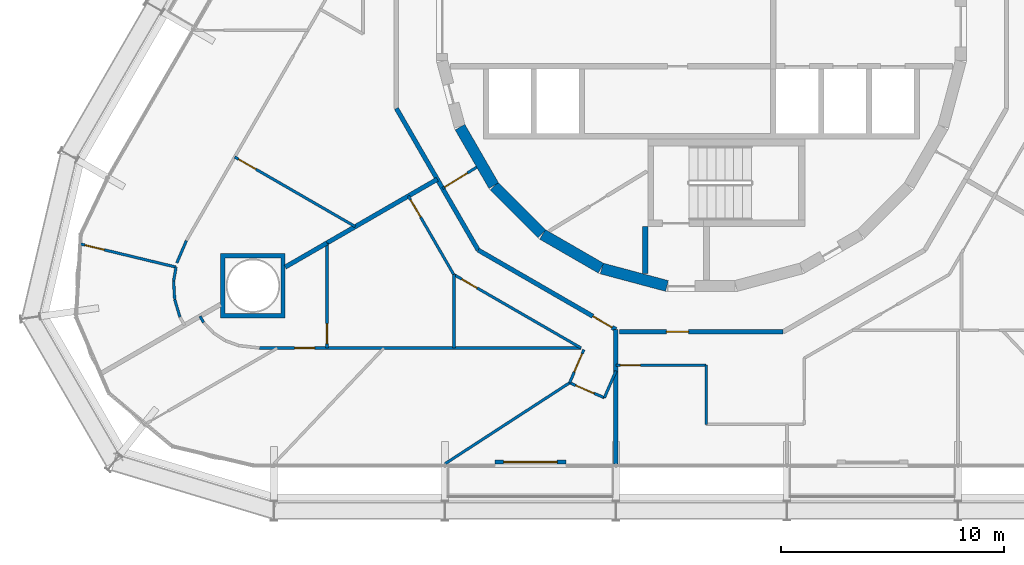
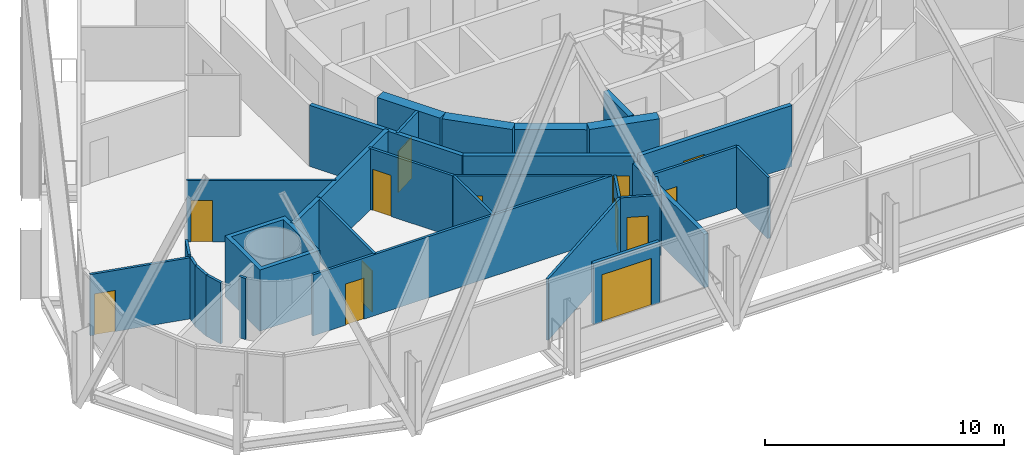
# One storey, part 15 of 22: 32 walls, 13 doors, 13 openings.
"""IFC4 building model written with IfcOpenShell, lengths in metres."""

from ifc_helpers import new_model, si_unit, direction, frame, frame_2d, origin, place, context, subcontext, project, spatial, polyline, rectangle, outline, extrude, material, layer, layer_set, type_object, element, fill, save


model = new_model("IFC4")

# Units and contexts
model_context = context("Model", 3, precision=1e-05, world=origin(), true_north=direction((0.0, 1.0)))
body_context = subcontext(model_context, "Body", "Model", "MODEL_VIEW")
ifc_project = project(units=[si_unit("LENGTHUNIT", "METRE"), si_unit("AREAUNIT", "SQUARE_METRE"), si_unit("VOLUMEUNIT", "CUBIC_METRE"), si_unit("PLANEANGLEUNIT", "RADIAN"), si_unit("MASSUNIT", "GRAM", prefix="KILO")], contexts=[model_context])

# Site, building, storey
site_placement = place(None, origin())
site = spatial("IfcSite", under=ifc_project, at=site_placement, CompositionType="ELEMENT")
building_placement = place(site_placement, origin())
building = spatial("IfcBuilding", under=site, at=building_placement, Name="Spindle Arch Residences", CompositionType="ELEMENT")
storey_placement = place(building_placement, frame((0.0, 0.0, 52.39990234375)))
storey = spatial("IfcBuildingStorey", under=building, at=storey_placement, Name="L11", CompositionType="ELEMENT", Elevation=52.39990234375)

# Walls
ifc_material_1 = material(Name="Concrete C50/60", Category="concrete")
ifc_layer_1 = layer(ifc_material_1, 0.5)
ifc_layer_set_1 = layer_set([ifc_layer_1], Name="Core outline wall 500")
wall_type_1 = type_object("IfcWallType", Name="Core outline wall 500", PredefinedType="SHEAR", material=ifc_layer_set_1)
wall_1_placement = place(storey_placement, frame((-10.84521484375, -4.510498046875, 0.0), z_axis=(0.0, 0.0, 1.0), x_axis=(0.500087131594, -0.865975092491, 0.0)))
element("IfcWall", 1, at=wall_1_placement, inside=storey, type_object=wall_type_1, Name="Core outline wall 20", PredefinedType="SHEAR", context=body_context, shape_type="SweptSolid", body=[
    extrude(rectangle(XDim=3.03271484375, YDim=0.5, at=frame_2d((1.516357421875, 0.0))), origin(), (0.0, 0.0, 1.0), 3.1201171875),
])
wall_2_placement = place(storey_placement, frame((-9.30810546875, -7.163818359375, 0.0), z_axis=(0.0, 0.0, 1.0), x_axis=(0.707106781187, -0.707106781187, 0.0)))
element("IfcWall", 2, at=wall_2_placement, inside=storey, type_object=wall_type_1, Name="Core outline wall 21", PredefinedType="SHEAR", context=body_context, shape_type="SweptSolid", body=[
    extrude(rectangle(XDim=3.032470703125, YDim=0.5, at=frame_2d((1.51611328125, 0.0))), origin(), (0.0, 0.0, 1.0), 3.1201171875),
])
for number, where, z_axis, x_axis, name in (
    (3, (-7.13671875, -9.32861328125, 0.0), (0.0, 0.0, 1.0), (0.865975092491, -0.500087131594, 0.0), "Core outline wall 22"),
    (4, (-4.479248046875, -10.858154296875, 0.0), (0.0, 0.0, 1.0), (0.965948410781, -0.258734743916, 0.0), "Core outline wall 23"),
):
    element("IfcWall", number, at=place(storey_placement, frame(where, z_axis=z_axis, x_axis=x_axis)), inside=storey, type_object=wall_type_1, Name=name, PredefinedType="SHEAR", context=body_context, shape_type="SweptSolid", body=[
        extrude(rectangle(XDim=3.03271484375, YDim=0.5, at=frame_2d((1.516357421875, 0.0))), origin(), (0.0, 0.0, 1.0), 3.1201171875),
    ])

# Wall, opening, door
ifc_material_2 = material(Name="Plasterboard on steel studs", Category="steel")
ifc_layer_2 = layer(ifc_material_2, 0.1201171875)
ifc_layer_set_2 = layer_set([ifc_layer_2], Name="Corridor division wall 120")
wall_type_2 = type_object("IfcWallType", Name="Corridor division wall 120", PredefinedType="PARTITIONING", material=ifc_layer_set_2)
wall_3_placement = place(storey_placement, frame((-11.625244140625, -7.264404296875, 0.0), z_axis=(0.0, 0.0, 1.0), x_axis=(0.84803632456, 0.529938102259, 0.0)))
wall_3 = element("IfcWall", 5, at=wall_3_placement, inside=storey, type_object=wall_type_2, Name="Corridor division wall R1B0-W003", PredefinedType="PARTITIONING", context=body_context, shape_type="SweptSolid", body=[
    extrude(rectangle(XDim=1.8037109375, YDim=0.1201171875, at=frame_2d((0.90185546875, 0.0))), origin(), (0.0, 0.0, 1.0), 3.1201171875),
])
opening_1_placement = place(wall_3_placement, frame((0.110107421875, 0.0, 0.0)))
opening_1 = element("IfcOpeningElement", 6, at=opening_1_placement, cuts=wall_3, Name="Opening R1B0-CD03", PredefinedType="OPENING", context=body_context, shape_type="SweptSolid", body=[
    extrude(rectangle(XDim=1.199951171875, YDim=2.10009765625, at=frame_2d((0.60009765625, 1.050048828125))), frame((0.0, 0.070068359375, 0.0), z_axis=(0.0, -1.0, 0.0), x_axis=(1.0, 0.0, 0.0)), (0.0, 0.0, 1.0), 0.14013671875),
])
ifc_material_3 = material(Name="Steel, fire-resisting door", Category="steel")
door_type_1 = type_object("IfcDoorType", Name="Corridor division door 1200x2100", OperationType="NOTDEFINED", PredefinedType="DOOR", material=ifc_material_3)
door_1_placement = place(opening_1_placement, origin())
door_1 = element("IfcDoor", 7, at=door_1_placement, inside=storey, type_object=door_type_1, Name="Corridor division door R1B0-CD03", OperationType="DOUBLE_DOOR_SINGLE_SWING", OverallHeight=2.10009765625, OverallWidth=1.199951171875, PredefinedType="DOOR", context=body_context, shape_type="SweptSolid", body=[
    extrude(rectangle(XDim=1.199951171875, YDim=2.10009765625, at=frame_2d((0.60009765625, 1.050048828125))), frame((0.0, 0.02490234375, 0.0), z_axis=(0.0, -1.0, 0.0), x_axis=(1.0, 0.0, 0.0)), (0.0, 0.0, 1.0), 0.050048828125),
])
fill(opening_1, door_1)

# Wall
ifc_material_4 = material(Name="Calcium silicate block, plastered")
ifc_layer_3 = layer(ifc_material_4, 0.199951171875)
ifc_layer_set_3 = layer_set([ifc_layer_3], Name="Corridor wall 200")
wall_type_3 = type_object("IfcWallType", Name="Corridor wall 200", PredefinedType="STANDARD", material=ifc_layer_set_3)
wall_4_placement = place(storey_placement, frame((-13.699951171875, -3.6708984375, 0.0), z_axis=(0.0, 0.0, 1.0), x_axis=(0.500001669485, -0.866024439905, 0.0)))
element("IfcWall", 8, at=wall_4_placement, inside=storey, type_object=wall_type_3, Name="Corridor wall R1B0-W012", PredefinedType="STANDARD", context=body_context, shape_type="SweptSolid", body=[
    extrude(rectangle(XDim=7.341796875, YDim=0.199951171875, at=frame_2d((3.6708984375, 0.0))), origin(), (0.0, 0.0, 1.0), 3.1201171875),
])

# Wall, opening, door
wall_5_placement = place(storey_placement, frame((-10.029052734375, -10.029052734375, 0.0), z_axis=(0.0, 0.0, 1.0), x_axis=(0.866022878987, -0.500004373052, 0.0)))
wall_5 = element("IfcWall", 9, at=wall_5_placement, inside=storey, type_object=wall_type_3, Name="Corridor wall R1B0-W013", PredefinedType="STANDARD", context=body_context, shape_type="SweptSolid", body=[
    extrude(rectangle(XDim=7.146484375, YDim=0.199951171875, at=frame_2d((3.5732421875, 0.0))), origin(), (0.0, 0.0, 1.0), 3.1201171875),
])
opening_2_placement = place(wall_5_placement, frame((5.946533203125, 0.0, 0.0)))
opening_2 = element("IfcOpeningElement", 10, at=opening_2_placement, cuts=wall_5, Name="Opening R1B0-FD04", PredefinedType="OPENING", context=body_context, shape_type="SweptSolid", body=[
    extrude(rectangle(XDim=1.0, YDim=2.10009765625, at=frame_2d((0.5, 1.050048828125))), frame((0.0, 0.10986328125, 0.0), z_axis=(0.0, -1.0, 0.0), x_axis=(1.0, 0.0, 0.0)), (0.0, 0.0, 1.0), 0.219970703125),
])
ifc_material_5 = material(Name="Timber, fire-resisting door set", Category="wood")
door_type_2 = type_object("IfcDoorType", Name="Flat entrance door 1000x2100", OperationType="NOTDEFINED", PredefinedType="DOOR", material=ifc_material_5)
door_2_placement = place(opening_2_placement, origin())
door_2 = element("IfcDoor", 11, at=door_2_placement, inside=storey, type_object=door_type_2, Name="Flat entrance door R1B0-FD04", OperationType="SINGLE_SWING_LEFT", OverallHeight=2.10009765625, OverallWidth=1.0, PredefinedType="DOOR", context=body_context, shape_type="SweptSolid", body=[
    extrude(rectangle(XDim=1.0, YDim=2.10009765625, at=frame_2d((0.5, 1.050048828125))), frame((0.0, 0.02490234375, 0.0), z_axis=(0.0, -1.0, 0.0), x_axis=(1.0, 0.0, 0.0)), (0.0, 0.0, 1.0), 0.050048828125),
])
fill(opening_2, door_2)

wall_6_placement = place(storey_placement, frame((-3.6708984375, -13.699951171875, 0.0), z_axis=(0.0, 0.0, 1.0), x_axis=(1.0, 0.0, 0.0)))
wall_6 = element("IfcWall", 12, at=wall_6_placement, inside=storey, type_object=wall_type_3, Name="Corridor wall R1B0-W014", PredefinedType="STANDARD", context=body_context, shape_type="SweptSolid", body=[
    extrude(rectangle(XDim=7.341796875, YDim=0.199951171875, at=frame_2d((3.6708984375, 0.0))), origin(), (0.0, 0.0, 1.0), 3.1201171875),
])
opening_3_placement = place(wall_6_placement, frame((2.10009765625, 0.0, 0.0)))
opening_3 = element("IfcOpeningElement", 13, at=opening_3_placement, cuts=wall_6, Name="Opening R1B0-FD05", PredefinedType="OPENING", context=body_context, shape_type="SweptSolid", body=[
    extrude(rectangle(XDim=1.0, YDim=2.10009765625, at=frame_2d((0.5, 1.050048828125))), frame((0.0, 0.10986328125, 0.0), z_axis=(0.0, -1.0, 0.0), x_axis=(1.0, 0.0, 0.0)), (0.0, 0.0, 1.0), 0.219970703125),
])
door_3_placement = place(opening_3_placement, origin())
door_3 = element("IfcDoor", 14, at=door_3_placement, inside=storey, type_object=door_type_2, Name="Flat entrance door R1B0-FD05", OperationType="SINGLE_SWING_LEFT", OverallHeight=2.10009765625, OverallWidth=1.0, PredefinedType="DOOR", context=body_context, shape_type="SweptSolid", body=[
    extrude(rectangle(XDim=1.0, YDim=2.10009765625, at=frame_2d((0.5, 1.050048828125))), frame((0.0, 0.02490234375, 0.0), z_axis=(0.0, -1.0, 0.0), x_axis=(1.0, 0.0, 0.0)), (0.0, 0.0, 1.0), 0.050048828125),
])
fill(opening_3, door_3)

ifc_material_6 = material(Name="Plasterboard on steel studs", Category="steel")
ifc_layer_4 = layer(ifc_material_6, 0.1201171875)
ifc_layer_set_4 = layer_set([ifc_layer_4], Name="Flat partition 120")
wall_type_4 = type_object("IfcWallType", Name="Flat partition 120", PredefinedType="PARTITIONING", material=ifc_layer_set_4)
wall_7_placement = place(storey_placement, frame((-20.96337890625, -5.849853515625, 0.0), z_axis=(0.0, 0.0, 1.0), x_axis=(0.866021746608, -0.500006334362, 0.0)))
wall_7 = element("IfcWall", 15, at=wall_7_placement, inside=storey, type_object=wall_type_4, Name="Flat partition R1B0-W069", PredefinedType="PARTITIONING", context=body_context, shape_type="SweptSolid", body=[
    extrude(rectangle(XDim=6.25341796875, YDim=0.1201171875, at=frame_2d((3.126708984375, 0.0))), origin(), (0.0, 0.0, 1.0), 3.1201171875),
])
opening_4_placement = place(wall_7_placement, frame((0.199951171875, 0.0, 0.0)))
opening_4 = element("IfcOpeningElement", 16, at=opening_4_placement, cuts=wall_7, Name="Opening R1B0-ID15", PredefinedType="OPENING", context=body_context, shape_type="SweptSolid", body=[
    extrude(rectangle(XDim=0.89990234375, YDim=2.10009765625, at=frame_2d((0.449951171875, 1.050048828125))), frame((0.0, 0.070068359375, 0.0), z_axis=(0.0, -1.0, 0.0), x_axis=(1.0, 0.0, 0.0)), (0.0, 0.0, 1.0), 0.14013671875),
])
ifc_material_7 = material(Name="Timber door set", Category="wood")
door_type_3 = type_object("IfcDoorType", Name="Room door 900x2100", OperationType="NOTDEFINED", PredefinedType="DOOR", material=ifc_material_7)
door_4_placement = place(opening_4_placement, origin())
door_4 = element("IfcDoor", 17, at=door_4_placement, inside=storey, type_object=door_type_3, Name="Room door R1B0-ID15", OperationType="SINGLE_SWING_RIGHT", OverallHeight=2.10009765625, OverallWidth=0.89990234375, PredefinedType="DOOR", context=body_context, shape_type="SweptSolid", body=[
    extrude(rectangle(XDim=0.89990234375, YDim=2.10009765625, at=frame_2d((0.449951171875, 1.050048828125))), frame((0.0, 0.02490234375, 0.0), z_axis=(0.0, -1.0, 0.0), x_axis=(1.0, 0.0, 0.0)), (0.0, 0.0, 1.0), 0.050048828125),
])
fill(opening_4, door_4)

# Wall
wall_8_placement = place(storey_placement, frame((-23.563720703125, -10.60595703125, 0.0), z_axis=(0.0, 0.0, 1.0), x_axis=(0.396195073027, 0.918166359713, 0.0)))
element("IfcWall", 18, at=wall_8_placement, inside=storey, type_object=wall_type_4, Name="Flat partition R1B0-W072", PredefinedType="PARTITIONING", context=body_context, shape_type="SweptSolid", body=[
    extrude(rectangle(XDim=1.0869140625, YDim=0.1201171875, at=frame_2d((0.54345703125, 0.0))), origin(), (0.0, 0.0, 1.0), 3.1201171875),
])

# Wall, opening, door
wall_9_placement = place(storey_placement, frame((-27.8828125, -9.76220703125, 0.0), z_axis=(0.0, 0.0, 1.0), x_axis=(0.972097015458, -0.234579181809, 0.0)))
wall_9 = element("IfcWall", 19, at=wall_9_placement, inside=storey, type_object=wall_type_4, Name="Flat partition R1B0-W073", PredefinedType="PARTITIONING", context=body_context, shape_type="SweptSolid", body=[
    extrude(rectangle(XDim=4.40869140625, YDim=0.1201171875, at=frame_2d((2.204345703125, 0.0))), origin(), (0.0, 0.0, 1.0), 3.1201171875),
])
opening_5_placement = place(wall_9_placement, frame((0.199951171875, 0.0, 0.0)))
opening_5 = element("IfcOpeningElement", 20, at=opening_5_placement, cuts=wall_9, Name="Opening R1B0-ID17", PredefinedType="OPENING", context=body_context, shape_type="SweptSolid", body=[
    extrude(rectangle(XDim=0.89990234375, YDim=2.10009765625, at=frame_2d((0.449951171875, 1.050048828125))), frame((0.0, 0.070068359375, 0.0), z_axis=(0.0, -1.0, 0.0), x_axis=(1.0, 0.0, 0.0)), (0.0, 0.0, 1.0), 0.14013671875),
])
door_5_placement = place(opening_5_placement, origin())
door_5 = element("IfcDoor", 21, at=door_5_placement, inside=storey, type_object=door_type_3, Name="Room door R1B0-ID17", OperationType="SINGLE_SWING_RIGHT", OverallHeight=2.10009765625, OverallWidth=0.89990234375, PredefinedType="DOOR", context=body_context, shape_type="SweptSolid", body=[
    extrude(rectangle(XDim=0.89990234375, YDim=2.10009765625, at=frame_2d((0.449951171875, 1.050048828125))), frame((0.0, 0.02490234375, 0.0), z_axis=(0.0, -1.0, 0.0), x_axis=(1.0, 0.0, 0.0)), (0.0, 0.0, 1.0), 0.050048828125),
])
fill(opening_5, door_5)

# Walls
wall_10_placement = place(storey_placement, frame((-23.59716796875, -10.79638671875, 0.0), z_axis=(0.0, 0.0, 1.0), x_axis=(-0.173610040386, -0.984814476882, 0.0)))
element("IfcWall", 22, at=wall_10_placement, inside=storey, type_object=wall_type_4, Name="Flat partition R1B0-W074", PredefinedType="PARTITIONING", context=body_context, shape_type="SweptSolid", body=[
    extrude(rectangle(XDim=0.6357421875, YDim=0.1201171875, at=frame_2d((0.31787109375, 0.0))), origin(), (0.0, 0.0, 1.0), 3.1201171875),
])
wall_11_placement = place(storey_placement, frame((-23.70751953125, -11.42236328125, 0.0), z_axis=(0.0, 0.0, 1.0), x_axis=(0.058031280246, -0.998314765248, 0.0)))
element("IfcWall", 23, at=wall_11_placement, inside=storey, type_object=wall_type_4, Name="Flat partition R1B0-W075", PredefinedType="PARTITIONING", context=body_context, shape_type="SweptSolid", body=[
    extrude(rectangle(XDim=0.828857421875, YDim=0.1201171875, at=frame_2d((0.41455078125, 0.0))), origin(), (0.0, 0.0, 1.0), 3.1201171875),
])
wall_12_placement = place(storey_placement, frame((-23.659423828125, -12.249755859375, 0.0), z_axis=(0.0, 0.0, 1.0), x_axis=(0.286834510868, -0.957980147694, 0.0)))
element("IfcWall", 24, at=wall_12_placement, inside=storey, type_object=wall_type_4, Name="Flat partition R1B0-W076", PredefinedType="PARTITIONING", context=body_context, shape_type="SweptSolid", body=[
    extrude(rectangle(XDim=0.8291015625, YDim=0.1201171875, at=frame_2d((0.41455078125, 0.0))), origin(), (0.0, 0.0, 1.0), 3.1201171875),
])

# Wall, opening, door
wall_13_placement = place(storey_placement, frame((-13.16357421875, -7.60009765625, 0.0), z_axis=(0.0, 0.0, 1.0), x_axis=(0.500000928893, -0.866024867487, 0.0)))
wall_13 = element("IfcWall", 25, at=wall_13_placement, inside=storey, type_object=wall_type_4, Name="Flat partition R1B0-W078", PredefinedType="PARTITIONING", context=body_context, shape_type="SweptSolid", body=[
    extrude(rectangle(XDim=4.07275390625, YDim=0.1201171875, at=frame_2d((2.036376953125, 0.0))), origin(), (0.0, 0.0, 1.0), 3.1201171875),
])
opening_6_placement = place(wall_13_placement, frame((0.199951171875, 0.0, 0.0)))
opening_6 = element("IfcOpeningElement", 26, at=opening_6_placement, cuts=wall_13, Name="Opening R1B0-ID18", PredefinedType="OPENING", context=body_context, shape_type="SweptSolid", body=[
    extrude(rectangle(XDim=0.89990234375, YDim=2.10009765625, at=frame_2d((0.449951171875, 1.050048828125))), frame((0.0, 0.070068359375, 0.0), z_axis=(0.0, -1.0, 0.0), x_axis=(1.0, 0.0, 0.0)), (0.0, 0.0, 1.0), 0.14013671875),
])
door_6_placement = place(opening_6_placement, origin())
door_6 = element("IfcDoor", 27, at=door_6_placement, inside=storey, type_object=door_type_3, Name="Room door R1B0-ID18", OperationType="SINGLE_SWING_LEFT", OverallHeight=2.10009765625, OverallWidth=0.89990234375, PredefinedType="DOOR", context=body_context, shape_type="SweptSolid", body=[
    extrude(rectangle(XDim=0.89990234375, YDim=2.10009765625, at=frame_2d((0.449951171875, 1.050048828125))), frame((0.0, 0.02490234375, 0.0), z_axis=(0.0, -1.0, 0.0), x_axis=(1.0, 0.0, 0.0)), (0.0, 0.0, 1.0), 0.050048828125),
])
fill(opening_6, door_6)

wall_14_placement = place(storey_placement, frame((-5.2802734375, -14.5029296875, 0.0), z_axis=(0.0, 0.0, 1.0), x_axis=(-0.395209511122, -0.918591009274, 0.0)))
wall_14 = element("IfcWall", 28, at=wall_14_placement, inside=storey, type_object=wall_type_4, Name="Flat partition R1B0-W079", PredefinedType="PARTITIONING", context=body_context, shape_type="SweptSolid", body=[
    extrude(rectangle(XDim=1.62109375, YDim=0.1201171875, at=frame_2d((0.810546875, 0.0))), origin(), (0.0, 0.0, 1.0), 3.1201171875),
])
opening_7_placement = place(wall_14_placement, frame((0.199951171875, 0.0, 0.0)))
opening_7 = element("IfcOpeningElement", 29, at=opening_7_placement, cuts=wall_14, Name="Opening R1B0-ID19", PredefinedType="OPENING", context=body_context, shape_type="SweptSolid", body=[
    extrude(rectangle(XDim=0.89990234375, YDim=2.10009765625, at=frame_2d((0.449951171875, 1.050048828125))), frame((0.0, 0.070068359375, 0.0), z_axis=(0.0, -1.0, 0.0), x_axis=(1.0, 0.0, 0.0)), (0.0, 0.0, 1.0), 0.14013671875),
])
door_7_placement = place(opening_7_placement, origin())
door_7 = element("IfcDoor", 30, at=door_7_placement, inside=storey, type_object=door_type_3, Name="Room door R1B0-ID19", OperationType="SINGLE_SWING_RIGHT", OverallHeight=2.10009765625, OverallWidth=0.89990234375, PredefinedType="DOOR", context=body_context, shape_type="SweptSolid", body=[
    extrude(rectangle(XDim=0.89990234375, YDim=2.10009765625, at=frame_2d((0.449951171875, 1.050048828125))), frame((0.0, 0.02490234375, 0.0), z_axis=(0.0, -1.0, 0.0), x_axis=(1.0, 0.0, 0.0)), (0.0, 0.0, 1.0), 0.050048828125),
])
fill(opening_7, door_7)

wall_15_placement = place(storey_placement, frame((-11.11181640625, -11.135986328125, 0.0), z_axis=(0.0, 0.0, 1.0), x_axis=(0.866017718408, -0.500013311227, 0.0)))
wall_15 = element("IfcWall", 31, at=wall_15_placement, inside=storey, type_object=wall_type_4, Name="Flat partition R1B0-W080", PredefinedType="PARTITIONING", context=body_context, shape_type="SweptSolid", body=[
    extrude(rectangle(XDim=6.587646484375, YDim=0.1201171875, at=frame_2d((3.2939453125, 0.0))), origin(), (0.0, 0.0, 1.0), 3.1201171875),
])
opening_8_placement = place(wall_15_placement, frame((0.39990234375, 0.0, 0.0)))
opening_8 = element("IfcOpeningElement", 32, at=opening_8_placement, cuts=wall_15, Name="Opening R1B0-BD04", PredefinedType="OPENING", context=body_context, shape_type="SweptSolid", body=[
    extrude(rectangle(XDim=0.800048828125, YDim=2.10009765625, at=frame_2d((0.39990234375, 1.050048828125))), frame((0.0, 0.070068359375, 0.0), z_axis=(0.0, -1.0, 0.0), x_axis=(1.0, 0.0, 0.0)), (0.0, 0.0, 1.0), 0.14013671875),
])
ifc_material_8 = material(Name="Timber door set", Category="wood")
door_type_4 = type_object("IfcDoorType", Name="Bathroom door 800x2100", OperationType="NOTDEFINED", PredefinedType="DOOR", material=ifc_material_8)
door_8_placement = place(opening_8_placement, origin())
door_8 = element("IfcDoor", 33, at=door_8_placement, inside=storey, type_object=door_type_4, Name="Bathroom door R1B0-BD04", OperationType="SINGLE_SWING_LEFT", OverallHeight=2.10009765625, OverallWidth=0.800048828125, PredefinedType="DOOR", context=body_context, shape_type="SweptSolid", body=[
    extrude(rectangle(XDim=0.800048828125, YDim=2.10009765625, at=frame_2d((0.39990234375, 1.050048828125))), frame((0.0, 0.02490234375, 0.0), z_axis=(0.0, -1.0, 0.0), x_axis=(1.0, 0.0, 0.0)), (0.0, 0.0, 1.0), 0.050048828125),
])
fill(opening_8, door_8)

wall_16_placement = place(storey_placement, frame((-5.9208984375, -15.991943359375, 0.0), z_axis=(0.0, 0.0, 1.0), x_axis=(0.918557080237, -0.395288363536, 0.0)))
wall_16 = element("IfcWall", 34, at=wall_16_placement, inside=storey, type_object=wall_type_4, Name="Flat partition R1B0-W081", PredefinedType="PARTITIONING", context=body_context, shape_type="SweptSolid", body=[
    extrude(rectangle(XDim=1.69970703125, YDim=0.1201171875, at=frame_2d((0.849853515625, 0.0))), origin(), (0.0, 0.0, 1.0), 3.1201171875),
])
opening_9_placement = place(wall_16_placement, frame((0.300048828125, 0.0, 0.0)))
opening_9 = element("IfcOpeningElement", 35, at=opening_9_placement, cuts=wall_16, Name="Opening R1B0-ID20", PredefinedType="OPENING", context=body_context, shape_type="SweptSolid", body=[
    extrude(rectangle(XDim=0.89990234375, YDim=2.10009765625, at=frame_2d((0.449951171875, 1.050048828125))), frame((0.0, 0.070068359375, 0.0), z_axis=(0.0, -1.0, 0.0), x_axis=(1.0, 0.0, 0.0)), (0.0, 0.0, 1.0), 0.14013671875),
])
door_9_placement = place(opening_9_placement, origin())
door_9 = element("IfcDoor", 36, at=door_9_placement, inside=storey, type_object=door_type_3, Name="Room door R1B0-ID20", OperationType="SINGLE_SWING_LEFT", OverallHeight=2.10009765625, OverallWidth=0.89990234375, PredefinedType="DOOR", context=body_context, shape_type="SweptSolid", body=[
    extrude(rectangle(XDim=0.89990234375, YDim=2.10009765625, at=frame_2d((0.449951171875, 1.050048828125))), frame((0.0, 0.02490234375, 0.0), z_axis=(0.0, -1.0, 0.0), x_axis=(1.0, 0.0, 0.0)), (0.0, 0.0, 1.0), 0.050048828125),
])
fill(opening_9, door_9)

# Wall
wall_17_placement = place(storey_placement, frame((-4.359619140625, -16.663818359375, 0.0), z_axis=(0.0, 0.0, 1.0), x_axis=(0.395353859705, 0.918528892097, 0.0)))
element("IfcWall", 37, at=wall_17_placement, inside=storey, type_object=wall_type_4, Name="Flat partition R1B0-W082", PredefinedType="PARTITIONING", context=body_context, shape_type="SweptSolid", body=[
    extrude(rectangle(XDim=1.314208984375, YDim=0.1201171875, at=frame_2d((0.6572265625, 0.0))), origin(), (0.0, 0.0, 1.0), 3.1201171875),
])

# Wall, opening, door
wall_18_placement = place(storey_placement, frame((-5.40673828125, -14.429931640625, 0.0), z_axis=(0.0, 0.0, 1.0), x_axis=(-1.0, 0.0, 0.0)))
wall_18 = element("IfcWall", 38, at=wall_18_placement, inside=storey, type_object=wall_type_4, Name="Flat partition R1B0-W083", PredefinedType="PARTITIONING", context=body_context, shape_type="SweptSolid", body=[
    extrude(rectangle(XDim=14.43408203125, YDim=0.1201171875, at=frame_2d((7.217041015625, 0.0))), origin(), (0.0, 0.0, 1.0), 3.1201171875),
])
opening_10_placement = place(wall_18_placement, frame((11.969970703125, 0.0, 0.0)))
opening_10 = element("IfcOpeningElement", 39, at=opening_10_placement, cuts=wall_18, Name="Opening R1B0-ID22", PredefinedType="OPENING", context=body_context, shape_type="SweptSolid", body=[
    extrude(rectangle(XDim=0.89990234375, YDim=2.10009765625, at=frame_2d((0.449951171875, 1.050048828125))), frame((0.0, 0.070068359375, 0.0), z_axis=(0.0, -1.0, 0.0), x_axis=(1.0, 0.0, 0.0)), (0.0, 0.0, 1.0), 0.14013671875),
])
door_10_placement = place(opening_10_placement, origin())
door_10 = element("IfcDoor", 40, at=door_10_placement, inside=storey, type_object=door_type_3, Name="Room door R1B0-ID22", OperationType="SINGLE_SWING_LEFT", OverallHeight=2.10009765625, OverallWidth=0.89990234375, PredefinedType="DOOR", context=body_context, shape_type="SweptSolid", body=[
    extrude(rectangle(XDim=0.89990234375, YDim=2.10009765625, at=frame_2d((0.449951171875, 1.050048828125))), frame((0.0, 0.02490234375, 0.0), z_axis=(0.0, -1.0, 0.0), x_axis=(1.0, 0.0, 0.0)), (0.0, 0.0, 1.0), 0.050048828125),
])
fill(opening_10, door_10)

# Wall
wall_19_placement = place(storey_placement, frame((-22.361083984375, -13.281005859375, 0.0), z_axis=(0.0, 0.0, 1.0), x_axis=(-0.499656614129, 0.86622356696, 0.0)))
element("IfcWall", 41, at=wall_19_placement, inside=storey, type_object=wall_type_4, Name="Flat partition R1B0-W088", PredefinedType="PARTITIONING", context=body_context, shape_type="SweptSolid", body=[
    extrude(rectangle(XDim=0.321044921875, YDim=0.1201171875, at=frame_2d((0.16064453125, 0.0))), origin(), (0.0, 0.0, 1.0), 3.1201171875),
])

# Wall, opening, door
wall_20_placement = place(storey_placement, frame((-16.816650390625, -14.429931640625, 0.0), z_axis=(0.0, 0.0, 1.0), x_axis=(0.0, 1.0, 0.0)))
wall_20 = element("IfcWall", 42, at=wall_20_placement, inside=storey, type_object=wall_type_4, Name="Flat partition R1B0-W090", PredefinedType="PARTITIONING", context=body_context, shape_type="SweptSolid", body=[
    extrude(rectangle(XDim=4.720947265625, YDim=0.1201171875, at=frame_2d((2.3603515625, 0.0))), origin(), (0.0, 0.0, 1.0), 3.1201171875),
])
opening_11_placement = place(wall_20_placement, frame((0.199951171875, 0.0, 0.0)))
opening_11 = element("IfcOpeningElement", 43, at=opening_11_placement, cuts=wall_20, Name="Opening R1B0-ID21", PredefinedType="OPENING", context=body_context, shape_type="SweptSolid", body=[
    extrude(rectangle(XDim=0.89990234375, YDim=2.10009765625, at=frame_2d((0.449951171875, 1.050048828125))), frame((0.0, 0.070068359375, 0.0), z_axis=(0.0, -1.0, 0.0), x_axis=(1.0, 0.0, 0.0)), (0.0, 0.0, 1.0), 0.14013671875),
])
door_11_placement = place(opening_11_placement, origin())
door_11 = element("IfcDoor", 44, at=door_11_placement, inside=storey, type_object=door_type_3, Name="Room door R1B0-ID21", OperationType="SINGLE_SWING_LEFT", OverallHeight=2.10009765625, OverallWidth=0.89990234375, PredefinedType="DOOR", context=body_context, shape_type="SweptSolid", body=[
    extrude(rectangle(XDim=0.89990234375, YDim=2.10009765625, at=frame_2d((0.449951171875, 1.050048828125))), frame((0.0, 0.02490234375, 0.0), z_axis=(0.0, -1.0, 0.0), x_axis=(1.0, 0.0, 0.0)), (0.0, 0.0, 1.0), 0.050048828125),
])
fill(opening_11, door_11)

# Walls
wall_21_placement = place(storey_placement, frame((-11.11181640625, -14.429931640625, 0.0), z_axis=(0.0, 0.0, 1.0), x_axis=(0.0, 1.0, 0.0)))
element("IfcWall", 45, at=wall_21_placement, inside=storey, type_object=wall_type_4, Name="Flat partition R1B0-W091", PredefinedType="PARTITIONING", context=body_context, shape_type="SweptSolid", body=[
    extrude(rectangle(XDim=3.2939453125, YDim=0.1201171875, at=frame_2d((1.64697265625, 0.0))), origin(), (0.0, 0.0, 1.0), 3.1201171875),
])
wall_22_placement = place(storey_placement, frame((-11.52001953125, -19.6298828125, 0.0), z_axis=(0.0, 0.0, 1.0), x_axis=(0.838545516556, 0.544831548888, 0.0)))
element("IfcWall", 46, at=wall_22_placement, inside=storey, type_object=wall_type_4, Name="Flat partition R1B0-W093", PredefinedType="PARTITIONING", context=body_context, shape_type="SweptSolid", body=[
    extrude(rectangle(XDim=6.67724609375, YDim=0.1201171875, at=frame_2d((3.338623046875, 0.0))), origin(), (0.0, 0.0, 1.0), 3.1201171875),
])

# Wall, opening, door
wall_23_placement = place(storey_placement, frame((-3.840087890625, -15.199951171875, 0.0), z_axis=(0.0, 0.0, 1.0), x_axis=(1.0, 0.0, 0.0)))
wall_23 = element("IfcWall", 47, at=wall_23_placement, inside=storey, type_object=wall_type_4, Name="Flat partition R1B0-W094", PredefinedType="PARTITIONING", context=body_context, shape_type="SweptSolid", body=[
    extrude(rectangle(XDim=4.052490234375, YDim=0.1201171875, at=frame_2d((2.0263671875, 0.0))), origin(), (0.0, 0.0, 1.0), 3.1201171875),
])
opening_12_placement = place(wall_23_placement, frame((0.199951171875, 0.0, 0.0)))
opening_12 = element("IfcOpeningElement", 48, at=opening_12_placement, cuts=wall_23, Name="Opening R1B0-ID24", PredefinedType="OPENING", context=body_context, shape_type="SweptSolid", body=[
    extrude(rectangle(XDim=0.89990234375, YDim=2.10009765625, at=frame_2d((0.449951171875, 1.050048828125))), frame((0.0, 0.070068359375, 0.0), z_axis=(0.0, -1.0, 0.0), x_axis=(1.0, 0.0, 0.0)), (0.0, 0.0, 1.0), 0.14013671875),
])
door_12_placement = place(opening_12_placement, origin())
door_12 = element("IfcDoor", 49, at=door_12_placement, inside=storey, type_object=door_type_3, Name="Room door R1B0-ID24", OperationType="SINGLE_SWING_LEFT", OverallHeight=2.10009765625, OverallWidth=0.89990234375, PredefinedType="DOOR", context=body_context, shape_type="SweptSolid", body=[
    extrude(rectangle(XDim=0.89990234375, YDim=2.10009765625, at=frame_2d((0.449951171875, 1.050048828125))), frame((0.0, 0.02490234375, 0.0), z_axis=(0.0, -1.0, 0.0), x_axis=(1.0, 0.0, 0.0)), (0.0, 0.0, 1.0), 0.050048828125),
])
fill(opening_12, door_12)

# Walls
wall_24_placement = place(storey_placement, frame((0.21240234375, -15.199951171875, 0.0), z_axis=(0.0, 0.0, 1.0), x_axis=(0.0, -1.0, 0.0)))
element("IfcWall", 50, at=wall_24_placement, inside=storey, type_object=wall_type_4, Name="Flat partition R1B0-W095", PredefinedType="PARTITIONING", context=body_context, shape_type="SweptSolid", body=[
    extrude(rectangle(XDim=2.6533203125, YDim=0.1201171875, at=frame_2d((1.32666015625, 0.0))), origin(), (0.0, 0.0, 1.0), 3.1201171875),
])
ifc_material_9 = material(Name="Calcium silicate block, plastered")
ifc_layer_5 = layer(ifc_material_9, 0.199951171875)
ifc_layer_set_5 = layer_set([ifc_layer_5], Name="Flat party wall 200")
wall_type_5 = type_object("IfcWallType", Name="Flat party wall 200", PredefinedType="STANDARD", material=ifc_layer_set_5)
wall_25_placement = place(storey_placement, frame((-16.816650390625, -9.708984375, 0.0), z_axis=(0.0, 0.0, 1.0), x_axis=(0.86604338933, 0.499968846828, 0.0)))
element("IfcWall", 51, at=wall_25_placement, inside=storey, type_object=wall_type_5, Name="Flat party wall R1B0-W022", PredefinedType="STANDARD", context=body_context, shape_type="SweptSolid", body=[
    extrude(rectangle(XDim=5.718017578125, YDim=0.199951171875, at=frame_2d((2.85888671875, 0.0))), origin(), (0.0, 0.0, 1.0), 3.1201171875),
])
wall_26_placement = place(storey_placement, frame((-18.693603515625, -10.792724609375, 0.0), z_axis=(0.0, 0.0, 1.0), x_axis=(0.866009251978, 0.500027974705, 0.0)))
element("IfcWall", 52, at=wall_26_placement, inside=storey, type_object=wall_type_5, Name="Flat party wall R1B0-W024", PredefinedType="STANDARD", context=body_context, shape_type="SweptSolid", body=[
    extrude(rectangle(XDim=2.16748046875, YDim=0.199951171875, at=frame_2d((1.083740234375, 0.0))), origin(), (0.0, 0.0, 1.0), 3.1201171875),
])
ifc_material_10 = material(Name="Calcium silicate block, plastered")
ifc_layer_6 = layer(ifc_material_10, 0.199951171875)
ifc_layer_set_6 = layer_set([ifc_layer_6], Name="Flat party wall 200 under beam 2730")
wall_type_6 = type_object("IfcWallType", Name="Flat party wall 200 under beam 2730", PredefinedType="STANDARD", material=ifc_layer_set_6)
wall_27_placement = place(storey_placement, frame((-3.840087890625, -19.6298828125, 0.0), z_axis=(0.0, 0.0, 1.0), x_axis=(0.0, 1.0, 0.0)))
element("IfcWall", 53, at=wall_27_placement, inside=storey, type_object=wall_type_6, Name="Flat party wall R1B0-W025", PredefinedType="STANDARD", context=body_context, shape_type="SweptSolid", body=[
    extrude(rectangle(XDim=6.027587890625, YDim=0.199951171875, at=frame_2d((3.013671875, 0.0))), origin(), (0.0, 0.0, 1.0), 2.72998046875),
])

# Wall, opening, door
ifc_material_11 = material(Name="Non-combustible mineral wool insulated aluminium faced external wall (K0)", Category="aluminium")
ifc_layer_7 = layer(ifc_material_11, 0.159912109375)
ifc_layer_set_7 = layer_set([ifc_layer_7], Name="Insulated external wall panel 160")
wall_type_7 = type_object("IfcWallType", Name="Insulated external wall panel 160", PredefinedType="STANDARD", material=ifc_layer_set_7)
wall_28_placement = place(storey_placement, frame((-9.280029296875, -19.5498046875, 0.0), z_axis=(0.0, 0.0, 1.0), x_axis=(1.0, 0.0, 0.0)))
wall_28 = element("IfcWall", 54, at=wall_28_placement, inside=storey, type_object=wall_type_7, Name="External wall L11 bay 23", PredefinedType="STANDARD", context=body_context, shape_type="SweptSolid", body=[
    extrude(rectangle(XDim=3.199951171875, YDim=0.159912109375, at=frame_2d((1.60009765625, 0.0))), origin(), (0.0, 0.0, 1.0), 3.1201171875),
])
opening_13_placement = place(wall_28_placement, frame((0.39990234375, 0.0, 0.0)))
opening_13 = element("IfcOpeningElement", 55, at=opening_13_placement, cuts=wall_28, Name="Opening BD23", PredefinedType="OPENING", context=body_context, shape_type="SweptSolid", body=[
    extrude(rectangle(XDim=2.39990234375, YDim=2.39990234375, at=frame_2d((1.199951171875, 1.199951171875))), frame((0.0, 0.08984375, 0.0), z_axis=(0.0, -1.0, 0.0), x_axis=(1.0, 0.0, 0.0)), (0.0, 0.0, 1.0), 0.179931640625),
])
ifc_material_12 = material(Name="Bronze aluminium frame, tinted double glazing", Category="aluminium")
door_type_5 = type_object("IfcDoorType", Name="Sliding glazed balcony door 2400x2400", OperationType="DOUBLE_DOOR_SLIDING", PredefinedType="DOOR", material=ifc_material_12)
door_13_placement = place(opening_13_placement, origin())
door_13 = element("IfcDoor", 56, at=door_13_placement, inside=storey, type_object=door_type_5, Name="Balcony door BD23", OperationType="DOUBLE_DOOR_SLIDING", OverallHeight=2.39990234375, OverallWidth=2.39990234375, PredefinedType="DOOR", context=body_context, shape_type="SweptSolid", body=[
    extrude(rectangle(XDim=2.39990234375, YDim=2.39990234375, at=frame_2d((1.199951171875, 1.199951171875))), frame((0.0, 0.02490234375, 0.0), z_axis=(0.0, -1.0, 0.0), x_axis=(1.0, 0.0, 0.0)), (0.0, 0.0, 1.0), 0.050048828125),
])
fill(opening_13, door_13)

# Walls
ifc_material_13 = material(Name="Calcium silicate block, plastered")
ifc_layer_8 = layer(ifc_material_13, 0.199951171875)
ifc_layer_set_8 = layer_set([ifc_layer_8], Name="Mega-column casing wall 200")
wall_type_8 = type_object("IfcWallType", Name="Mega-column casing wall 200", PredefinedType="STANDARD", material=ifc_layer_set_8)
wall_29_placement = place(storey_placement, origin())
element("IfcWall", 57, at=wall_29_placement, inside=storey, type_object=wall_type_8, Name="Mega-column casing wall R1B0-WC02", PredefinedType="STANDARD", context=body_context, shape_type="SweptSolid", body=[
    extrude(outline(polyline([(-18.693603515625, -10.179931640625), (-18.693603515625, -13.079833984375), (-21.593505859375, -13.079833984375), (-21.593505859375, -10.179931640625), (-18.693603515625, -10.179931640625)]), holes=[polyline([(-21.3935546875, -12.8798828125), (-18.8935546875, -12.8798828125), (-18.8935546875, -10.3798828125), (-21.3935546875, -10.3798828125), (-21.3935546875, -12.8798828125)])]), origin(), (0.0, 0.0, 1.0), 3.1201171875),
])
ifc_material_14 = material(Name="Concrete C40/50", Category="concrete")
ifc_layer_9 = layer(ifc_material_14, 0.25)
ifc_layer_set_9 = layer_set([ifc_layer_9], Name="Stair airlock wall 250")
wall_type_9 = type_object("IfcWallType", Name="Stair airlock wall 250", PredefinedType="SHEAR", material=ifc_layer_set_9)
wall_30_placement = place(storey_placement, frame((-2.52490234375, -8.969970703125, 0.0), z_axis=(0.0, 0.0, 1.0), x_axis=(0.0, -1.0, 0.0)))
element("IfcWall", 58, at=wall_30_placement, inside=storey, type_object=wall_type_9, Name="Stair ST-3 airlock wall W", PredefinedType="SHEAR", context=body_context, shape_type="SweptSolid", body=[
    extrude(rectangle(XDim=2.110107421875, YDim=0.25, at=frame_2d((1.05517578125, 0.0))), origin(), (0.0, 0.0, 1.0), 3.1201171875),
])

save(model, "model.ifc")
